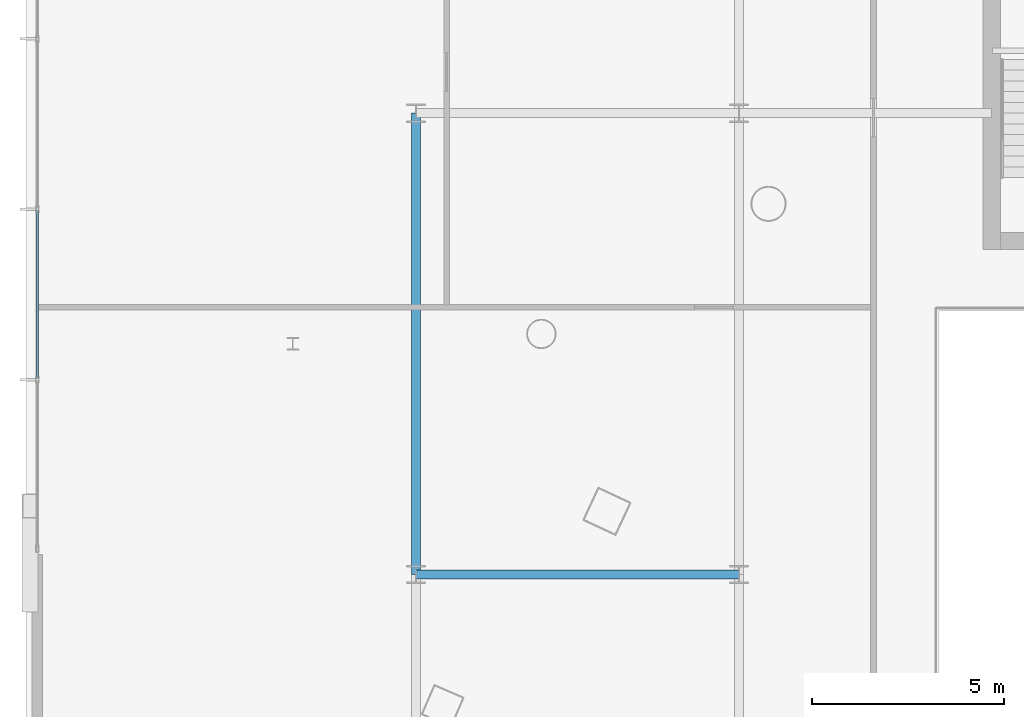
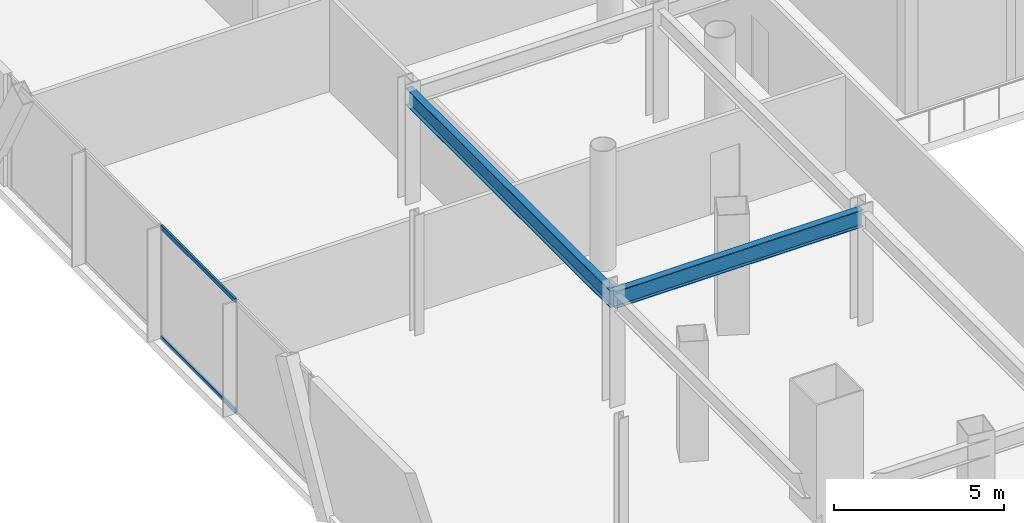
# One storey, part 11 of 42: 2 beams, 2 members, 1 element without a shape of its own.
"""IFC4 building model written with IfcOpenShell, lengths in metres."""

import ifcopenshell
import ifcopenshell.guid

model = None  # the IFC model being written
_history = None  # IfcOwnerHistory: only IFC2X3 demands one
_inside = {}  # id of a spatial element -> (the spatial element, [elements in it])
_under = {}  # id of a project, library or spatial element -> (it, [spatial elements below it])
_declared = {}  # id of a project -> (the project, [libraries it declares])
_typed = {}  # id of a type object -> (the type object, [elements of that type])
_made_of = {}  # id of a material, layer set ... -> (it, [elements and type objects made of it])


def new_model(schema):
    """Start an empty IFC model of exactly this schema.

    Asked for "IFC4X3", IfcOpenShell would pick the latest addendum, in which some entities
    have other attributes; the version numbers below select the first issue.
    IFC2X3 requires an IfcOwnerHistory on every rooted entity: one is made here for all.
    """
    global model, _history
    if schema == "IFC4X3":
        model = ifcopenshell.file(schema_version=(4, 3, 0, 0))
    else:
        model = ifcopenshell.file(schema=schema)
    _inside.clear()
    _under.clear()
    _declared.clear()
    _typed.clear()
    _made_of.clear()
    _history = None
    if model.schema == "IFC2X3":
        org = make("IfcOrganization", Name="unknown")
        user = make(
            "IfcPersonAndOrganization",
            ThePerson=make("IfcPerson", FamilyName="unknown"),
            TheOrganization=org,
        )
        app = make(
            "IfcApplication",
            ApplicationDeveloper=org,
            Version="unknown",
            ApplicationFullName="unknown",
            ApplicationIdentifier="unknown",
        )
        _history = make(
            "IfcOwnerHistory",
            OwningUser=user,
            OwningApplication=app,
            ChangeAction="ADDED",
            CreationDate=0,
        )
    return model


def make(cls, **values):
    """One entity of the class cls with the attributes given. An attribute that is None is left unset."""
    return model.create_entity(
        cls, **{name: value for name, value in values.items() if value is not None}
    )


def rooted(cls, **values):
    """An entity with a GlobalId (a new one), such as an element, a storey or a relation."""
    return make(cls, GlobalId=ifcopenshell.guid.new(), OwnerHistory=_history, **values)


def si_unit(unit_type, name, prefix=None):
    """IfcSIUnit, for example si_unit("LENGTHUNIT", "METRE", prefix="MILLI")."""
    return make("IfcSIUnit", UnitType=unit_type, Prefix=prefix, Name=name)


def assignment(units):
    """IfcUnitAssignment: the units of a project."""
    return None if units is None else make("IfcUnitAssignment", Units=units)


def point(xyz):
    """IfcCartesianPoint."""
    return None if xyz is None else make("IfcCartesianPoint", Coordinates=xyz)


def direction(xyz):
    """IfcDirection."""
    return None if xyz is None else make("IfcDirection", DirectionRatios=xyz)


def frame(location, z_axis=None, x_axis=None):
    """IfcAxis2Placement3D, a coordinate frame: its origin and axes. An axis left out is left unset."""
    return make(
        "IfcAxis2Placement3D",
        Location=point(location),
        Axis=direction(z_axis),
        RefDirection=direction(x_axis),
    )


def frame_2d(location, x_axis=None):
    """IfcAxis2Placement2D, a coordinate frame in the plane: its origin and x axis."""
    return make(
        "IfcAxis2Placement2D", Location=point(location), RefDirection=direction(x_axis)
    )


def origin():
    """The frame at (0, 0, 0) with its axes left unset."""
    return frame((0.0, 0.0, 0.0))


def origin_2d():
    """The frame at (0, 0) in the plane with its x axis left unset."""
    return frame_2d((0.0, 0.0))


def place(relative_to, where):
    """IfcLocalPlacement: puts the frame where relative to a parent placement (None: the world)."""
    return make(
        "IfcLocalPlacement", PlacementRelTo=relative_to, RelativePlacement=where
    )


def context(
    kind, dimensions, precision=None, world=None, true_north=None, identifier=None
):
    """IfcGeometricRepresentationContext, for example the 3D "Model" context."""
    return make(
        "IfcGeometricRepresentationContext",
        ContextIdentifier=identifier,
        ContextType=kind,
        CoordinateSpaceDimension=dimensions,
        Precision=precision,
        WorldCoordinateSystem=world,
        TrueNorth=true_north,
    )


def subcontext(parent, identifier, kind, view, scale=None):
    """IfcGeometricRepresentationSubContext, for example "Body" below "Model"."""
    return make(
        "IfcGeometricRepresentationSubContext",
        ContextIdentifier=identifier,
        ContextType=kind,
        ParentContext=parent,
        TargetScale=scale,
        TargetView=view,
    )


def project(units=None, contexts=None):
    """IfcProject with its units and contexts."""
    return rooted(
        "IfcProject",
        Name="project",
        RepresentationContexts=contexts,
        UnitsInContext=assignment(units),
    )


def spatial(cls, under=None, at=None, **own):
    """A site, building, storey or space (cls), placed at a placement, below another one or the project."""
    s = rooted(cls, ObjectPlacement=at, **own)
    if under is not None:
        _under.setdefault(under.id(), (under, []))[1].append(s)
    return s


def profile(cls, at=None, kind="AREA", **sizes):
    """A parametric profile (cls). Its sizes go by their IFC names, for example OverallWidth=200.0."""
    return make(cls, ProfileType=kind, Position=at, **sizes)


def hollow_rectangle(**sizes):
    """IfcRectangleHollowProfileDef."""
    return profile("IfcRectangleHollowProfileDef", **sizes)


def i_section(**sizes):
    """IfcIShapeProfileDef."""
    return profile("IfcIShapeProfileDef", **sizes)


def extrude(swept, where, along, depth):
    """IfcExtrudedAreaSolid: the profile swept, set in the frame where, extruded along a direction by depth."""
    return make(
        "IfcExtrudedAreaSolid",
        SweptArea=swept,
        Position=where,
        ExtrudedDirection=direction(along),
        Depth=depth,
    )


def shape(context_of_items, identifier, shape_type, items):
    """IfcShapeRepresentation: the items that make up one representation, for example the "Body"."""
    return make(
        "IfcShapeRepresentation",
        ContextOfItems=context_of_items,
        RepresentationIdentifier=identifier,
        RepresentationType=shape_type,
        Items=items,
    )


def material(Name=None, Category=None):
    """IfcMaterial."""
    return make("IfcMaterial", Name=Name, Category=Category)


def layer(
    of_material, thickness, ventilated=None, Name=None, Category=None, Priority=None
):
    """IfcMaterialLayer: one layer of a wall or slab, of a material (None: an air gap)."""
    return make(
        "IfcMaterialLayer",
        Material=of_material,
        LayerThickness=thickness,
        IsVentilated=ventilated,
        Name=Name,
        Category=Category,
        Priority=Priority,
    )


def layer_set(layers, Name=None):
    """IfcMaterialLayerSet."""
    return make("IfcMaterialLayerSet", MaterialLayers=layers, LayerSetName=Name)


def material_profile(
    of_material, cross_section, Name=None, Category=None, Priority=None
):
    """IfcMaterialProfile: a cross section and its material."""
    return make(
        "IfcMaterialProfile",
        Name=Name,
        Material=of_material,
        Profile=cross_section,
        Priority=Priority,
        Category=Category,
    )


def profile_set(profiles, Name=None, composite=None):
    """IfcMaterialProfileSet."""
    return make(
        "IfcMaterialProfileSet",
        Name=Name,
        MaterialProfiles=profiles,
        CompositeProfile=composite,
    )


def made_of(thing, what):
    """Note that an element or type object is made of a material, layer set ...; save() writes the relation."""
    if what is not None:
        _made_of.setdefault(what.id(), (what, []))[1].append(thing)
    return thing


def type_object(cls, material=None, **own):
    """A type object (cls), such as IfcWallType, which elements share."""
    return made_of(rooted(cls, **own), material)


def element(
    cls,
    number,
    at=None,
    inside=None,
    cuts=None,
    type_object=None,
    material=None,
    context=None,
    identifier="Body",
    shape_type=None,
    held_by="IfcProductDefinitionShape",
    body=None,
    shapes=None,
    **own,
):
    """One element of the class cls, such as IfcWall. Its Tag is "e" and its number.

    at: its placement. inside: the storey or other place that contains it. cuts: it is an
    opening in that element (IfcRelVoidsElement). A single representation is given by context,
    identifier, shape_type and body (its items); several are given by shapes. held_by: the class
    of the entity that holds the representations. save() writes the other relations.
    """
    e = rooted(cls, Tag="e%d" % number, ObjectPlacement=at, **own)
    if body is not None:
        shapes = [shape(context, identifier, shape_type, body)]
    if shapes is not None:
        e.Representation = make(held_by, Representations=shapes)
    if inside is not None:
        _inside.setdefault(inside.id(), (inside, []))[1].append(e)
    if cuts is not None:
        rooted(
            "IfcRelVoidsElement", RelatingBuildingElement=cuts, RelatedOpeningElement=e
        )
    if type_object is not None:
        _typed.setdefault(type_object.id(), (type_object, []))[1].append(e)
    return made_of(e, material)


def aggregate(whole, parts):
    """IfcRelAggregates: a whole, such as a stair, and the parts it consists of."""
    return rooted("IfcRelAggregates", RelatingObject=whole, RelatedObjects=parts)


def save(model, path):
    """Write the relations noted so far, then the file.

    IfcRelAggregates (storeys below a building ...), IfcRelContainedInSpatialStructure (elements
    in a storey), IfcRelDefinesByType, IfcRelAssociatesMaterial and IfcRelDeclares: one each for
    every whole, place, type object, material and project.
    """
    for whole, parts in _under.values():
        aggregate(whole, parts)
    for where, things in _inside.values():
        rooted(
            "IfcRelContainedInSpatialStructure",
            RelatedElements=things,
            RelatingStructure=where,
        )
    for kind, things in _typed.values():
        rooted("IfcRelDefinesByType", RelatedObjects=things, RelatingType=kind)
    for what, things in _made_of.values():
        rooted("IfcRelAssociatesMaterial", RelatedObjects=things, RelatingMaterial=what)
    for by, libraries in _declared.values():
        rooted("IfcRelDeclares", RelatingContext=by, RelatedDefinitions=libraries)
    model.write(path)


model = new_model("IFC4")

# Units and contexts
model_context = context("Model", 3, precision=1e-05, world=origin(), true_north=direction((0.0, 1.0)))
body_context = subcontext(model_context, "Body", "Model", "MODEL_VIEW")
ifc_project = project(units=[si_unit("LENGTHUNIT", "METRE"), si_unit("AREAUNIT", "SQUARE_METRE"), si_unit("VOLUMEUNIT", "CUBIC_METRE"), si_unit("PLANEANGLEUNIT", "RADIAN"), si_unit("MASSUNIT", "GRAM", prefix="KILO")], contexts=[model_context])

# Site, building, storey
site_placement = place(None, origin())
site = spatial("IfcSite", under=ifc_project, at=site_placement, CompositionType="ELEMENT")
building_placement = place(site_placement, origin())
building = spatial("IfcBuilding", under=site, at=building_placement, Name="Orvanel Arch Residences", CompositionType="ELEMENT")
storey_placement = place(building_placement, frame((0.0, 0.0, 5.5)))
storey = spatial("IfcBuildingStorey", under=building, at=storey_placement, Name="L01", CompositionType="ELEMENT", Elevation=5.5)

# Beams
ifc_material_1 = material(Name="Structural steel AS/NZS 3679.1 Grade 300 (300 MPa)", Category="steel")
ifc_material_profile_1 = material_profile(ifc_material_1, i_section(OverallWidth=0.22900390625, OverallDepth=0.612060546875, WebThickness=0.011962890625, FlangeThickness=0.01953125, at=origin_2d()), Name="610UB125")
ifc_profile_set_1 = profile_set([ifc_material_profile_1], Name="Structural steel AS/NZS 3679.1 Grade 300 (300 MPa)")
beam_type = type_object("IfcBeamType", Name="BG-610UB", PredefinedType="BEAM", material=ifc_profile_set_1)
beam_1_placement = place(storey_placement, frame((11.39990234375, 18.0, 3.714111328125), z_axis=(1.0, 0.0, 0.0), x_axis=(0.0, 1.0, 0.0)))
element("IfcBeam", 1, at=beam_1_placement, inside=storey, type_object=beam_type, Name="L01 BG-610UB beam", PredefinedType="BEAM", context=body_context, shape_type="SweptSolid", body=[
    extrude(i_section(OverallWidth=0.22900390625, OverallDepth=0.612060546875, WebThickness=0.011962890625, FlangeThickness=0.01953125, at=origin_2d()), origin(), (0.0, 0.0, 1.0), 8.400146484375),
])
beam_2_placement = place(storey_placement, frame((11.39990234375, 18.0, 3.714111328125), z_axis=(0.0, 1.0, 0.0), x_axis=(-1.0, 0.0, 0.0)))
element("IfcBeam", 2, at=beam_2_placement, inside=storey, type_object=beam_type, Name="L01 North-South Podium Girder XW11-M", PredefinedType="BEAM", context=body_context, shape_type="SweptSolid", body=[
    extrude(i_section(OverallWidth=0.22900390625, OverallDepth=0.612060546875, WebThickness=0.011962890625, FlangeThickness=0.01953125, at=origin_2d()), origin(), (0.0, 0.0, 1.0), 12.0),
])

# Curtain wall, members
ifc_material_2 = material(Name="Bronze-anodised aluminium AA6063-T6", Category="aluminium")
ifc_layer = layer(ifc_material_2, 0.199951171875)
ifc_layer_set = layer_set([ifc_layer], Name="Bronze-anodised aluminium AA6063-T6")
curtain_wall_type = type_object("IfcCurtainWallType", Name="CW1-POD-SYS", PredefinedType="NOTDEFINED", material=ifc_layer_set)
curtain_wall_placement = place(storey_placement, origin())
curtain_wall = element("IfcCurtainWall", 3, at=curtain_wall_placement, inside=storey, type_object=curtain_wall_type, Name="L01 CW1-POD-SYS Unitised Curtain Wall", PredefinedType="NOTDEFINED")
ifc_material_profile_2 = material_profile(ifc_material_2, hollow_rectangle(XDim=0.06494140625, YDim=0.14990234375, WallThickness=0.00390625, at=origin_2d()), Name="ALU150x65x4")
ifc_profile_set_2 = profile_set([ifc_material_profile_2], Name="Bronze-anodised aluminium AA6063-T6")
member_type = type_object("IfcMemberType", Name="TRN-150x65", PredefinedType="USERDEFINED", material=ifc_profile_set_2)
member_1_placement = place(storey_placement, frame((1.550048828125, 27.46240234375, 0.032470703125), z_axis=(0.0, -1.0, 0.0), x_axis=(1.0, 0.0, 0.0)))
member_1 = element("IfcMember", 4, at=member_1_placement, type_object=member_type, Name="CW-S1 transom 3.1", ObjectType="TRANSOM", PredefinedType="USERDEFINED", context=body_context, shape_type="SweptSolid", body=[
    extrude(hollow_rectangle(XDim=0.06494140625, YDim=0.14990234375, WallThickness=0.00390625, at=origin_2d()), origin(), (0.0, 0.0, 1.0), 4.35498046875),
])
member_2_placement = place(storey_placement, frame((1.550048828125, 27.46240234375, 3.987548828125), z_axis=(0.0, -1.0, 0.0), x_axis=(1.0, 0.0, 0.0)))
member_2 = element("IfcMember", 5, at=member_2_placement, type_object=member_type, Name="CW-S1 transom 3.2", ObjectType="TRANSOM", PredefinedType="USERDEFINED", context=body_context, shape_type="SweptSolid", body=[
    extrude(hollow_rectangle(XDim=0.06494140625, YDim=0.14990234375, WallThickness=0.00390625, at=origin_2d()), origin(), (0.0, 0.0, 1.0), 4.35498046875),
])
aggregate(curtain_wall, [member_1, member_2])

save(model, "model.ifc")
